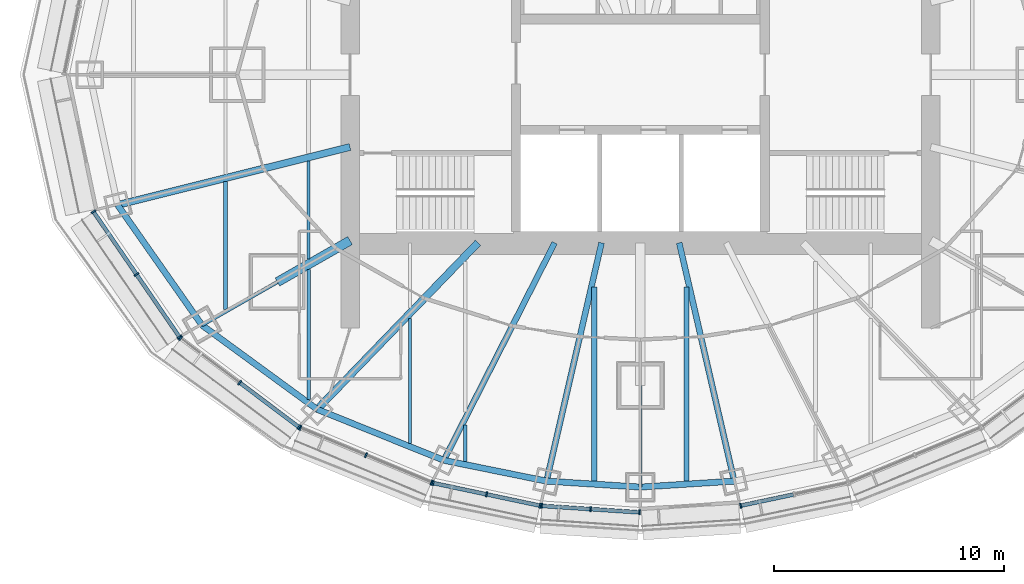
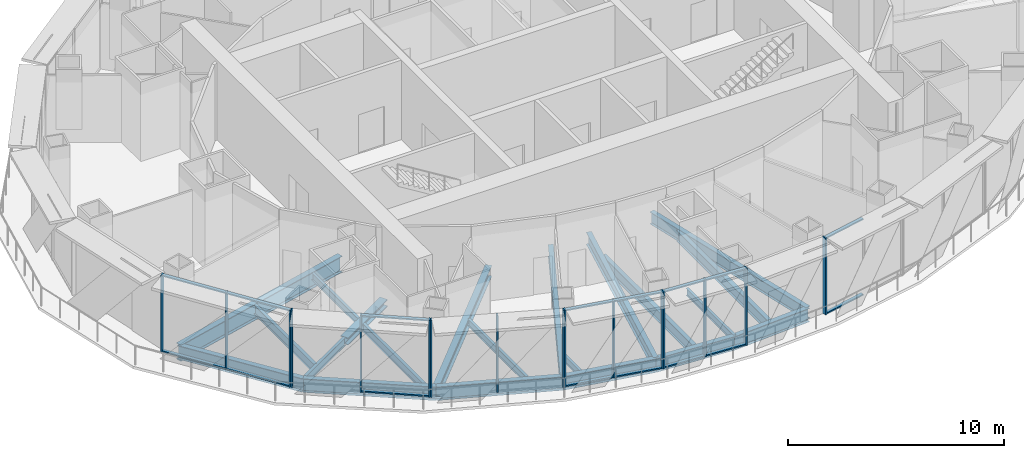
# One storey, part 2 of 17: 32 members, 21 beams, 6 elements without a shape of their own.
"""IFC4 building model written with IfcOpenShell, lengths in metres."""

from ifc_helpers import new_model, si_unit, direction, frame, origin, origin_2d, place, context, subcontext, project, spatial, rectangle, i_section, extrude, material, material_profile, profile_set, type_object, element, aggregate, save


model = new_model("IFC4")

# Units and contexts
model_context = context("Model", 3, precision=1e-05, world=origin(), true_north=direction((0.0, 1.0)))
body_context = subcontext(model_context, "Body", "Model", "MODEL_VIEW")
ifc_project = project(units=[si_unit("LENGTHUNIT", "METRE"), si_unit("AREAUNIT", "SQUARE_METRE"), si_unit("VOLUMEUNIT", "CUBIC_METRE"), si_unit("PLANEANGLEUNIT", "RADIAN"), si_unit("MASSUNIT", "GRAM", prefix="KILO")], contexts=[model_context])

# Site, building, storey
site_placement = place(None, origin())
site = spatial("IfcSite", under=ifc_project, at=site_placement, CompositionType="ELEMENT")
building_placement = place(site_placement, origin())
building = spatial("IfcBuilding", under=site, at=building_placement, Name="Lantaw Convention Tower", CompositionType="ELEMENT")
storey_placement = place(building_placement, frame((0.0, 0.0, 270.39990234375)))
storey = spatial("IfcBuildingStorey", under=building, at=storey_placement, Name="L63", CompositionType="ELEMENT", Elevation=270.39990234375)

# Beams
ifc_material_1 = material(Name="Steel ASTM A992", Category="steel")
ifc_material_profile_1 = material_profile(ifc_material_1, i_section(OverallWidth=0.2666015625, OverallDepth=0.76953125, WebThickness=0.015625, FlangeThickness=0.025390625, FilletRadius=0.0126953125, at=origin_2d()), Name="W30X132")
ifc_profile_set_1 = profile_set([ifc_material_profile_1], Name="Steel ASTM A992")
beam_type_1 = type_object("IfcBeamType", Name="Beam E W30X132", PredefinedType="SPANDREL", material=ifc_profile_set_1)
beam_1_placement = place(storey_placement, frame((-22.68701171875, -5.656494140625, -0.53466796875), z_axis=(0.574400527612, -0.81857439117, 0.0), x_axis=(0.81857439117, 0.574400527612, 0.0)))
element("IfcBeam", 1, at=beam_1_placement, inside=storey, type_object=beam_type_1, Name="Edge beam 14", PredefinedType="SPANDREL", context=body_context, shape_type="SweptSolid", body=[
    extrude(i_section(OverallWidth=0.2666015625, OverallDepth=0.76953125, WebThickness=0.015625, FlangeThickness=0.025390625, FilletRadius=0.0126953125, at=origin_2d()), origin(), (0.0, 0.0, 1.0), 6.3720703125),
])
beam_2_placement = place(storey_placement, frame((-19.02685546875, -10.87255859375, -0.53466796875), z_axis=(0.807371616826, -0.59004328006, 0.0), x_axis=(0.59004328006, 0.807371616826, 0.0)))
element("IfcBeam", 2, at=beam_2_placement, inside=storey, type_object=beam_type_1, Name="Edge beam 15", PredefinedType="SPANDREL", context=body_context, shape_type="SweptSolid", body=[
    extrude(i_section(OverallWidth=0.2666015625, OverallDepth=0.76953125, WebThickness=0.015625, FlangeThickness=0.025390625, FilletRadius=0.0126953125, at=origin_2d()), origin(), (0.0, 0.0, 1.0), 6.192138671875),
])
beam_3_placement = place(storey_placement, frame((-14.027587890625, -14.526123046875, -0.53466796875), z_axis=(0.927779110974, -0.373129898615, 0.0), x_axis=(0.373129898615, 0.927779110974, 0.0)))
element("IfcBeam", 3, at=beam_3_placement, inside=storey, type_object=beam_type_1, Name="Edge beam 16", PredefinedType="SPANDREL", context=body_context, shape_type="SweptSolid", body=[
    extrude(i_section(OverallWidth=0.2666015625, OverallDepth=0.76953125, WebThickness=0.015625, FlangeThickness=0.025390625, FilletRadius=0.0126953125, at=origin_2d()), origin(), (0.0, 0.0, 1.0), 5.92724609375),
])
beam_4_placement = place(storey_placement, frame((-8.5283203125, -16.73779296875, -0.53466796875), z_axis=(0.980006466425, -0.198965639657, 0.0), x_axis=(0.198965639657, 0.980006466425, 0.0)))
element("IfcBeam", 4, at=beam_4_placement, inside=storey, type_object=beam_type_1, Name="Edge beam 17", PredefinedType="SPANDREL", context=body_context, shape_type="SweptSolid", body=[
    extrude(i_section(OverallWidth=0.2666015625, OverallDepth=0.76953125, WebThickness=0.015625, FlangeThickness=0.025390625, FilletRadius=0.0126953125, at=origin_2d()), origin(), (0.0, 0.0, 1.0), 4.546142578125),
])
for number, where, z_axis, x_axis, name in (
    (5, (-4.072998046875, -17.642333984375, -0.53466796875), (0.998006453216, -0.063111958769, 0.0), (0.063111958769, 0.998006453216, 0.0), "Edge beam 18"),
    (6, (0.0, -17.89990234375, -0.53466796875), (0.998006453216, 0.063111958769, 0.0), (-0.063111958769, 0.998006453216, 0.0), "Edge beam 19"),
):
    element("IfcBeam", number, at=place(storey_placement, frame(where, z_axis=z_axis, x_axis=x_axis)), inside=storey, type_object=beam_type_1, Name=name, PredefinedType="SPANDREL", context=body_context, shape_type="SweptSolid", body=[
        extrude(i_section(OverallWidth=0.2666015625, OverallDepth=0.76953125, WebThickness=0.015625, FlangeThickness=0.025390625, FilletRadius=0.0126953125, at=origin_2d()), origin(), (0.0, 0.0, 1.0), 4.0810546875),
    ])
ifc_material_profile_2 = material_profile(ifc_material_1, i_section(OverallWidth=0.140380859375, OverallDepth=0.40380859375, WebThickness=0.007080078125, FlangeThickness=0.01123046875, FilletRadius=0.01025390625, at=origin_2d()), Name="W16X31")
ifc_profile_set_2 = profile_set([ifc_material_profile_2], Name="Steel ASTM A992")
beam_type_2 = type_object("IfcBeamType", Name="Beam G W16X31", PredefinedType="BEAM", material=ifc_profile_set_2)
beam_5_placement = place(storey_placement, frame((0.0, -13.5, -0.351806640625), z_axis=(0.0, -1.0, 0.0), x_axis=(1.0, 0.0, 0.0)))
element("IfcBeam", 7, at=beam_5_placement, inside=storey, type_object=beam_type_2, Name="Floor girder on ray 19", PredefinedType="BEAM", context=body_context, shape_type="SweptSolid", body=[
    extrude(i_section(OverallWidth=0.140380859375, OverallDepth=0.40380859375, WebThickness=0.007080078125, FlangeThickness=0.01123046875, FilletRadius=0.01025390625, at=origin_2d()), origin(), (0.0, 0.0, 1.0), 4.39990234375),
])
ifc_material_profile_3 = material_profile(ifc_material_1, i_section(OverallWidth=0.15234375, OverallDepth=0.449462890625, WebThickness=0.007568359375, FlangeThickness=0.0107421875, FilletRadius=0.01025390625, at=origin_2d()), Name="W18X35")
ifc_profile_set_3 = profile_set([ifc_material_profile_3], Name="Steel ASTM A992")
beam_type_3 = type_object("IfcBeamType", Name="Beam G W18X35", PredefinedType="BEAM", material=ifc_profile_set_3)
beam_6_placement = place(storey_placement, frame((-15.75, -9.0, -0.374755859375), z_axis=(-0.868235180478, -0.496152870978, 0.0), x_axis=(0.496152870978, -0.868235180478, 0.0)))
element("IfcBeam", 8, at=beam_6_placement, inside=storey, type_object=beam_type_3, Name="Floor girder on ray 15", PredefinedType="BEAM", context=body_context, shape_type="SweptSolid", body=[
    extrude(i_section(OverallWidth=0.15234375, OverallDepth=0.449462890625, WebThickness=0.007568359375, FlangeThickness=0.0107421875, FilletRadius=0.01025390625, at=origin_2d()), origin(), (0.0, 0.0, 1.0), 3.774169921875),
])
ifc_material_profile_4 = material_profile(ifc_material_1, i_section(OverallWidth=0.3251953125, OverallDepth=0.612060546875, WebThickness=0.0126953125, FlangeThickness=0.01904296875, FilletRadius=0.0126953125, at=origin_2d()), Name="W24X104")
ifc_profile_set_4 = profile_set([ifc_material_profile_4], Name="Steel ASTM A992")
beam_type_4 = type_object("IfcBeamType", Name="Beam G W24X104", PredefinedType="BEAM", material=ifc_profile_set_4)
beam_7_placement = place(storey_placement, frame((-7.049560546875, -7.300048828125, -0.4560546875), z_axis=(-0.694652631285, -0.71934534255, 0.0), x_axis=(0.71934534255, -0.694652631285, 0.0)))
element("IfcBeam", 9, at=beam_7_placement, inside=storey, type_object=beam_type_4, Name="Floor girder on ray 16", PredefinedType="BEAM", context=body_context, shape_type="SweptSolid", body=[
    extrude(i_section(OverallWidth=0.3251953125, OverallDepth=0.612060546875, WebThickness=0.0126953125, FlangeThickness=0.01904296875, FilletRadius=0.0126953125, at=origin_2d()), origin(), (0.0, 0.0, 1.0), 10.04541015625),
])
ifc_material_profile_5 = material_profile(ifc_material_1, i_section(OverallWidth=0.25390625, OverallDepth=0.683349609375, WebThickness=0.012451171875, FlangeThickness=0.01904296875, FilletRadius=0.01513671875, at=origin_2d()), Name="W27X94")
ifc_profile_set_5 = profile_set([ifc_material_profile_5], Name="Steel ASTM A992")
beam_type_5 = type_object("IfcBeamType", Name="Beam G W27X94", PredefinedType="BEAM", material=ifc_profile_set_5)
beam_8_placement = place(storey_placement, frame((-3.719482421875, -7.300048828125, -0.491455078125), z_axis=(-0.453995526284, -0.891003963018, 0.0), x_axis=(0.891003963018, -0.453995526284, 0.0)))
element("IfcBeam", 10, at=beam_8_placement, inside=storey, type_object=beam_type_5, Name="Floor girder on ray 17", PredefinedType="BEAM", context=body_context, shape_type="SweptSolid", body=[
    extrude(i_section(OverallWidth=0.25390625, OverallDepth=0.683349609375, WebThickness=0.012451171875, FlangeThickness=0.01904296875, FilletRadius=0.01513671875, at=origin_2d()), origin(), (0.0, 0.0, 1.0), 10.59228515625),
])
for number, where, z_axis, x_axis, name in (
    (11, (-1.685302734375, -7.300048828125, -0.491455078125), (-0.22495021771, -0.974370257937, 0.0), (0.974370257937, -0.22495021771, 0.0), "Floor girder on ray 18"),
    (12, (1.685302734375, -7.300048828125, -0.491455078125), (0.22495021771, -0.974370257937, 0.0), (0.974370257937, 0.22495021771, 0.0), "Floor girder on ray 20"),
):
    element("IfcBeam", number, at=place(storey_placement, frame(where, z_axis=z_axis, x_axis=x_axis)), inside=storey, type_object=beam_type_5, Name=name, PredefinedType="BEAM", context=body_context, shape_type="SweptSolid", body=[
        extrude(i_section(OverallWidth=0.25390625, OverallDepth=0.683349609375, WebThickness=0.012451171875, FlangeThickness=0.01904296875, FilletRadius=0.01513671875, at=origin_2d()), origin(), (0.0, 0.0, 1.0), 10.6142578125),
    ])
ifc_material_profile_6 = material_profile(ifc_material_1, i_section(OverallWidth=0.307373046875, OverallDepth=0.922119140625, WebThickness=0.018310546875, FlangeThickness=0.030029296875, FilletRadius=0.0126953125, at=origin_2d()), Name="W36X182")
ifc_profile_set_6 = profile_set([ifc_material_profile_6], Name="Steel ASTM A992")
beam_type_6 = type_object("IfcBeamType", Name="Beam G W36X182", PredefinedType="BEAM", material=ifc_profile_set_6)
beam_9_placement = place(storey_placement, frame((-12.60009765625, -3.1416015625, -0.61083984375), z_axis=(-0.97029702597, -0.241916682751, 0.0), x_axis=(0.241916682751, -0.97029702597, 0.0)))
element("IfcBeam", 13, at=beam_9_placement, inside=storey, type_object=beam_type_6, Name="Floor girder on ray 14", PredefinedType="BEAM", context=body_context, shape_type="SweptSolid", body=[
    extrude(i_section(OverallWidth=0.307373046875, OverallDepth=0.922119140625, WebThickness=0.018310546875, FlangeThickness=0.030029296875, FilletRadius=0.0126953125, at=origin_2d()), origin(), (0.0, 0.0, 1.0), 10.395751953125),
])
ifc_material_profile_7 = material_profile(ifc_material_1, i_section(OverallWidth=0.40380859375, OverallDepth=0.406494140625, WebThickness=0.027099609375, FlangeThickness=0.043701171875, FilletRadius=0.01513671875, at=origin_2d()), Name="W14X233")
ifc_profile_set_7 = profile_set([ifc_material_profile_7], Name="Steel ASTM A992")
beam_type_7 = type_object("IfcBeamType", Name="Beam GM W14X233", PredefinedType="BEAM", material=ifc_profile_set_7)
beam_10_placement = place(storey_placement, frame((-12.60009765625, -7.199951171875, -0.35302734375), z_axis=(-0.868230718294, -0.496160679428, 0.0), x_axis=(0.496160679428, -0.868230718294, 0.0)))
element("IfcBeam", 14, at=beam_10_placement, inside=storey, type_object=beam_type_7, Name="Core link beam on ray 15", PredefinedType="BEAM", context=body_context, shape_type="SweptSolid", body=[
    extrude(i_section(OverallWidth=0.40380859375, OverallDepth=0.406494140625, WebThickness=0.027099609375, FlangeThickness=0.043701171875, FilletRadius=0.01513671875, at=origin_2d()), origin(), (0.0, 0.0, 1.0), 3.6279296875),
])
ifc_material_profile_8 = material_profile(ifc_material_1, i_section(OverallWidth=0.140380859375, OverallDepth=0.40380859375, WebThickness=0.007080078125, FlangeThickness=0.01123046875, FilletRadius=0.01025390625, at=origin_2d()), Name="W16X31")
ifc_profile_set_8 = profile_set([ifc_material_profile_8], Name="Steel ASTM A992")
beam_type_8 = type_object("IfcBeamType", Name="Beam J W16X31", PredefinedType="JOIST", material=ifc_profile_set_8)
beam_11_placement = place(storey_placement, frame((-14.39990234375, -7.99609375, -0.351806640625), z_axis=(0.0, 1.0, 0.0), x_axis=(-1.0, 0.0, 0.0)))
element("IfcBeam", 15, at=beam_11_placement, inside=storey, type_object=beam_type_8, Name="Floor joist", PredefinedType="JOIST", context=body_context, shape_type="SweptSolid", body=[
    extrude(i_section(OverallWidth=0.140380859375, OverallDepth=0.40380859375, WebThickness=0.007080078125, FlangeThickness=0.01123046875, FilletRadius=0.01025390625, at=origin_2d()), origin(), (0.0, 0.0, 1.0), 4.247314453125),
])
beam_12_placement = place(storey_placement, frame((-10.0, -16.002197265625, -0.351806640625), z_axis=(0.0, 1.0, 0.0), x_axis=(-1.0, 0.0, 0.0)))
element("IfcBeam", 16, at=beam_12_placement, inside=storey, type_object=beam_type_8, Name="Floor joist", PredefinedType="JOIST", context=body_context, shape_type="SweptSolid", body=[
    extrude(i_section(OverallWidth=0.140380859375, OverallDepth=0.40380859375, WebThickness=0.007080078125, FlangeThickness=0.01123046875, FilletRadius=0.01025390625, at=origin_2d()), origin(), (0.0, 0.0, 1.0), 5.412841796875),
])
beam_13_placement = place(storey_placement, frame((-7.60009765625, -16.790283203125, -0.351806640625), z_axis=(0.0, 1.0, 0.0), x_axis=(-1.0, 0.0, 0.0)))
element("IfcBeam", 17, at=beam_13_placement, inside=storey, type_object=beam_type_8, Name="Floor joist", PredefinedType="JOIST", context=body_context, shape_type="SweptSolid", body=[
    extrude(i_section(OverallWidth=0.140380859375, OverallDepth=0.40380859375, WebThickness=0.007080078125, FlangeThickness=0.01123046875, FilletRadius=0.01025390625, at=origin_2d()), origin(), (0.0, 0.0, 1.0), 1.5947265625),
])
ifc_material_profile_9 = material_profile(ifc_material_1, i_section(OverallWidth=0.15234375, OverallDepth=0.449462890625, WebThickness=0.007568359375, FlangeThickness=0.0107421875, FilletRadius=0.01025390625, at=origin_2d()), Name="W18X35")
ifc_profile_set_9 = profile_set([ifc_material_profile_9], Name="Steel ASTM A992")
beam_type_9 = type_object("IfcBeamType", Name="Beam J W18X35", PredefinedType="JOIST", material=ifc_profile_set_9)
beam_14_placement = place(storey_placement, frame((-14.39990234375, -14.0888671875, -0.374755859375), z_axis=(0.0, 1.0, 0.0), x_axis=(-1.0, 0.0, 0.0)))
element("IfcBeam", 18, at=beam_14_placement, inside=storey, type_object=beam_type_9, Name="Floor joist", PredefinedType="JOIST", context=body_context, shape_type="SweptSolid", body=[
    extrude(i_section(OverallWidth=0.15234375, OverallDepth=0.449462890625, WebThickness=0.007568359375, FlangeThickness=0.0107421875, FilletRadius=0.01025390625, at=origin_2d()), origin(), (0.0, 0.0, 1.0), 5.627685546875),
])
ifc_material_profile_10 = material_profile(ifc_material_1, i_section(OverallWidth=0.165771484375, OverallDepth=0.5283203125, WebThickness=0.009765625, FlangeThickness=0.013671875, FilletRadius=0.012939453125, at=origin_2d()), Name="W21X50")
ifc_profile_set_10 = profile_set([ifc_material_profile_10], Name="Steel ASTM A992")
beam_type_10 = type_object("IfcBeamType", Name="Beam J W21X50", PredefinedType="JOIST", material=ifc_profile_set_10)
beam_15_placement = place(storey_placement, frame((-18.0, -10.197998046875, -0.4140625), z_axis=(0.0, 1.0, 0.0), x_axis=(-1.0, 0.0, 0.0)))
element("IfcBeam", 19, at=beam_15_placement, inside=storey, type_object=beam_type_10, Name="Floor joist", PredefinedType="JOIST", context=body_context, shape_type="SweptSolid", body=[
    extrude(i_section(OverallWidth=0.165771484375, OverallDepth=0.5283203125, WebThickness=0.009765625, FlangeThickness=0.013671875, FilletRadius=0.012939453125, at=origin_2d()), origin(), (0.0, 0.0, 1.0), 5.5517578125),
])
ifc_material_profile_11 = material_profile(ifc_material_1, i_section(OverallWidth=0.22900390625, OverallDepth=0.612060546875, WebThickness=0.011962890625, FlangeThickness=0.01953125, FilletRadius=0.0126953125, at=origin_2d()), Name="W24X84")
ifc_profile_set_11 = profile_set([ifc_material_profile_11], Name="Steel ASTM A992")
beam_type_11 = type_object("IfcBeamType", Name="Beam J W24X84", PredefinedType="JOIST", material=ifc_profile_set_11)
for number, where, z_axis, x_axis, name in (
    (20, (-2.0, -17.639892578125, -0.4560546875), (0.0, 1.0, 0.0), (-1.0, 0.0, 0.0), "Floor joist"),
    (21, (2.0, -17.639892578125, -0.4560546875), (0.0, 1.0, 0.0), (-1.0, 0.0, 0.0), "Floor joist"),
):
    element("IfcBeam", number, at=place(storey_placement, frame(where, z_axis=z_axis, x_axis=x_axis)), inside=storey, type_object=beam_type_11, Name=name, PredefinedType="JOIST", context=body_context, shape_type="SweptSolid", body=[
        extrude(i_section(OverallWidth=0.22900390625, OverallDepth=0.612060546875, WebThickness=0.011962890625, FlangeThickness=0.01953125, FilletRadius=0.0126953125, at=origin_2d()), origin(), (0.0, 0.0, 1.0), 8.412353515625),
    ])

# Curtain wall, members
ifc_material_2 = material(Name="Aluminium framed curtain wall", Category="aluminium")
curtain_wall_type = type_object("IfcCurtainWallType", Name="Executive floors curtain wall, pale aluminium", PredefinedType="USERDEFINED", material=ifc_material_2)
curtain_wall_1_placement = place(storey_placement, origin())
curtain_wall_1 = element("IfcCurtainWall", 22, at=curtain_wall_1_placement, inside=storey, type_object=curtain_wall_type, Name="Executive floors curtain wall, pale aluminium L63", ObjectType="UNITISED CURTAIN WALL", PredefinedType="USERDEFINED")
ifc_material_3 = material(Name="Aluminium 6063-T6", Category="aluminium")
ifc_material_profile_12 = material_profile(ifc_material_3, rectangle(XDim=0.219970703125, YDim=0.070068359375, at=origin_2d()), Name="CW-T mullion 70x220")
ifc_profile_set_12 = profile_set([ifc_material_profile_12], Name="Aluminium 6063-T6")
member_type_1 = type_object("IfcMemberType", Name="CW-T mullion 70x220", PredefinedType="MULLION", material=ifc_profile_set_12)
member_1_placement = place(storey_placement, frame((-23.734619140625, -5.951416015625, 0.0), z_axis=(0.0, 0.0, 1.0), x_axis=(0.824449977189, 0.565934832921, 0.0)))
member_1 = element("IfcMember", 23, at=member_1_placement, type_object=member_type_1, Name="CW-T mullion 1", PredefinedType="MULLION", context=body_context, shape_type="SweptSolid", body=[
    extrude(rectangle(XDim=0.219970703125, YDim=0.070068359375, at=origin_2d()), origin(), (0.0, 0.0, 1.0), 4.35009765625),
])
member_2_placement = place(storey_placement, frame((-21.8681640625, -8.67041015625, 0.0), z_axis=(0.0, 0.0, 1.0), x_axis=(0.824449977189, 0.565934832921, 0.0)))
member_2 = element("IfcMember", 24, at=member_2_placement, type_object=member_type_1, Name="CW-T mullion 2", PredefinedType="MULLION", context=body_context, shape_type="SweptSolid", body=[
    extrude(rectangle(XDim=0.219970703125, YDim=0.070068359375, at=origin_2d()), origin(), (0.0, 0.0, 1.0), 4.35009765625),
])
member_3_placement = place(storey_placement, frame((-20.001708984375, -11.389404296875, 0.0), z_axis=(0.0, 0.0, 1.0), x_axis=(0.824449977189, 0.565934832921, 0.0)))
member_3 = element("IfcMember", 25, at=member_3_placement, type_object=member_type_1, Name="CW-T mullion 3", PredefinedType="MULLION", context=body_context, shape_type="SweptSolid", body=[
    extrude(rectangle(XDim=0.219970703125, YDim=0.070068359375, at=origin_2d()), origin(), (0.0, 0.0, 1.0), 4.35009765625),
])

curtain_wall_2_placement = place(storey_placement, origin())
curtain_wall_2 = element("IfcCurtainWall", 26, at=curtain_wall_2_placement, inside=storey, type_object=curtain_wall_type, Name="Executive floors curtain wall, pale aluminium L63", ObjectType="UNITISED CURTAIN WALL", PredefinedType="USERDEFINED")
member_4_placement = place(storey_placement, frame((-19.953857421875, -11.439208984375, 0.0), z_axis=(0.0, 0.0, 1.0), x_axis=(0.600642756762, 0.799517528732, 0.0)))
member_4 = element("IfcMember", 27, at=member_4_placement, type_object=member_type_1, Name="CW-T mullion 1", PredefinedType="MULLION", context=body_context, shape_type="SweptSolid", body=[
    extrude(rectangle(XDim=0.219970703125, YDim=0.070068359375, at=origin_2d()), origin(), (0.0, 0.0, 1.0), 4.35009765625),
])
member_5_placement = place(storey_placement, frame((-17.386962890625, -13.367919921875, 0.0), z_axis=(0.0, 0.0, 1.0), x_axis=(0.600642756762, 0.799517528732, 0.0)))
member_5 = element("IfcMember", 28, at=member_5_placement, type_object=member_type_1, Name="CW-T mullion 2", PredefinedType="MULLION", context=body_context, shape_type="SweptSolid", body=[
    extrude(rectangle(XDim=0.219970703125, YDim=0.070068359375, at=origin_2d()), origin(), (0.0, 0.0, 1.0), 4.35009765625),
])
member_6_placement = place(storey_placement, frame((-14.81982421875, -15.29638671875, 0.0), z_axis=(0.0, 0.0, 1.0), x_axis=(0.600642756762, 0.799517528732, 0.0)))
member_6 = element("IfcMember", 29, at=member_6_placement, type_object=member_type_1, Name="CW-T mullion 3", PredefinedType="MULLION", context=body_context, shape_type="SweptSolid", body=[
    extrude(rectangle(XDim=0.219970703125, YDim=0.070068359375, at=origin_2d()), origin(), (0.0, 0.0, 1.0), 4.35009765625),
])

curtain_wall_3_placement = place(storey_placement, origin())
curtain_wall_3 = element("IfcCurtainWall", 30, at=curtain_wall_3_placement, inside=storey, type_object=curtain_wall_type, Name="Executive floors curtain wall, pale aluminium L63", ObjectType="UNITISED CURTAIN WALL", PredefinedType="USERDEFINED")
member_7_placement = place(storey_placement, frame((-14.759521484375, -15.330810546875, 0.0), z_axis=(0.0, 0.0, 1.0), x_axis=(0.384459697924, 0.923141777124, 0.0)))
member_7 = element("IfcMember", 31, at=member_7_placement, type_object=member_type_1, Name="CW-T mullion 1", PredefinedType="MULLION", context=body_context, shape_type="SweptSolid", body=[
    extrude(rectangle(XDim=0.219970703125, YDim=0.070068359375, at=origin_2d()), origin(), (0.0, 0.0, 1.0), 4.35009765625),
])
member_8_placement = place(storey_placement, frame((-11.90966796875, -16.517578125, 0.0), z_axis=(0.0, 0.0, 1.0), x_axis=(0.384459697924, 0.923141777124, 0.0)))
member_8 = element("IfcMember", 32, at=member_8_placement, type_object=member_type_1, Name="CW-T mullion 2", PredefinedType="MULLION", context=body_context, shape_type="SweptSolid", body=[
    extrude(rectangle(XDim=0.219970703125, YDim=0.070068359375, at=origin_2d()), origin(), (0.0, 0.0, 1.0), 4.35009765625),
])
member_9_placement = place(storey_placement, frame((-9.06005859375, -17.70458984375, 0.0), z_axis=(0.0, 0.0, 1.0), x_axis=(0.384459697924, 0.923141777124, 0.0)))
member_9 = element("IfcMember", 33, at=member_9_placement, type_object=member_type_1, Name="CW-T mullion 3", PredefinedType="MULLION", context=body_context, shape_type="SweptSolid", body=[
    extrude(rectangle(XDim=0.219970703125, YDim=0.070068359375, at=origin_2d()), origin(), (0.0, 0.0, 1.0), 4.35009765625),
])
aggregate(curtain_wall_3, [member_7, member_8, member_9])

curtain_wall_4_placement = place(storey_placement, origin())
curtain_wall_4 = element("IfcCurtainWall", 34, at=curtain_wall_4_placement, inside=storey, type_object=curtain_wall_type, Name="Executive floors curtain wall, pale aluminium L63", ObjectType="UNITISED CURTAIN WALL", PredefinedType="USERDEFINED")
member_10_placement = place(storey_placement, frame((-8.993408203125, -17.72509765625, 0.0), z_axis=(0.0, 0.0, 1.0), x_axis=(0.207039911975, 0.978332497083, 0.0)))
member_10 = element("IfcMember", 35, at=member_10_placement, type_object=member_type_1, Name="CW-T mullion 1", PredefinedType="MULLION", context=body_context, shape_type="SweptSolid", body=[
    extrude(rectangle(XDim=0.219970703125, YDim=0.070068359375, at=origin_2d()), origin(), (0.0, 0.0, 1.0), 4.35009765625),
])
member_11_placement = place(storey_placement, frame((-6.674072265625, -18.216064453125, 0.0), z_axis=(0.0, 0.0, 1.0), x_axis=(0.207039911975, 0.978332497083, 0.0)))
member_11 = element("IfcMember", 36, at=member_11_placement, type_object=member_type_1, Name="CW-T mullion 2", PredefinedType="MULLION", context=body_context, shape_type="SweptSolid", body=[
    extrude(rectangle(XDim=0.219970703125, YDim=0.070068359375, at=origin_2d()), origin(), (0.0, 0.0, 1.0), 4.35009765625),
])
member_12_placement = place(storey_placement, frame((-4.354736328125, -18.706787109375, 0.0), z_axis=(0.0, 0.0, 1.0), x_axis=(0.207039911975, 0.978332497083, 0.0)))
member_12 = element("IfcMember", 37, at=member_12_placement, type_object=member_type_1, Name="CW-T mullion 3", PredefinedType="MULLION", context=body_context, shape_type="SweptSolid", body=[
    extrude(rectangle(XDim=0.219970703125, YDim=0.070068359375, at=origin_2d()), origin(), (0.0, 0.0, 1.0), 4.35009765625),
])

curtain_wall_5_placement = place(storey_placement, origin())
curtain_wall_5 = element("IfcCurtainWall", 38, at=curtain_wall_5_placement, inside=storey, type_object=curtain_wall_type, Name="Executive floors curtain wall, pale aluminium L63", ObjectType="UNITISED CURTAIN WALL", PredefinedType="USERDEFINED")
member_13_placement = place(storey_placement, frame((-4.28564453125, -18.71630859375, 0.0), z_axis=(0.0, 0.0, 1.0), x_axis=(0.066024902273, 0.997817975525, 0.0)))
member_13 = element("IfcMember", 39, at=member_13_placement, type_object=member_type_1, Name="CW-T mullion 1", PredefinedType="MULLION", context=body_context, shape_type="SweptSolid", body=[
    extrude(rectangle(XDim=0.219970703125, YDim=0.070068359375, at=origin_2d()), origin(), (0.0, 0.0, 1.0), 4.35009765625),
])
member_14_placement = place(storey_placement, frame((-2.16015625, -18.857177734375, 0.0), z_axis=(0.0, 0.0, 1.0), x_axis=(0.066024902273, 0.997817975525, 0.0)))
member_14 = element("IfcMember", 40, at=member_14_placement, type_object=member_type_1, Name="CW-T mullion 2", PredefinedType="MULLION", context=body_context, shape_type="SweptSolid", body=[
    extrude(rectangle(XDim=0.219970703125, YDim=0.070068359375, at=origin_2d()), origin(), (0.0, 0.0, 1.0), 4.35009765625),
])
member_15_placement = place(storey_placement, frame((-0.034912109375, -18.997802734375, 0.0), z_axis=(0.0, 0.0, 1.0), x_axis=(0.066024902273, 0.997817975525, 0.0)))
member_15 = element("IfcMember", 41, at=member_15_placement, type_object=member_type_1, Name="CW-T mullion 3", PredefinedType="MULLION", context=body_context, shape_type="SweptSolid", body=[
    extrude(rectangle(XDim=0.219970703125, YDim=0.070068359375, at=origin_2d()), origin(), (0.0, 0.0, 1.0), 4.35009765625),
])

# Curtain wall, member
curtain_wall_6_placement = place(storey_placement, origin())
curtain_wall_6 = element("IfcCurtainWall", 42, at=curtain_wall_6_placement, inside=storey, type_object=curtain_wall_type, Name="Executive floors curtain wall, pale aluminium L63", ObjectType="UNITISED CURTAIN WALL", PredefinedType="USERDEFINED")
member_16_placement = place(storey_placement, frame((4.354736328125, -18.706787109375, 0.0), z_axis=(0.0, 0.0, 1.0), x_axis=(-0.207039911975, 0.978332497083, 0.0)))
member_16 = element("IfcMember", 43, at=member_16_placement, type_object=member_type_1, Name="CW-T mullion 1", PredefinedType="MULLION", context=body_context, shape_type="SweptSolid", body=[
    extrude(rectangle(XDim=0.219970703125, YDim=0.070068359375, at=origin_2d()), origin(), (0.0, 0.0, 1.0), 4.35009765625),
])

# Member
ifc_material_profile_13 = material_profile(ifc_material_3, rectangle(XDim=0.169921875, YDim=0.070068359375, at=origin_2d()), Name="CW-T transom 70x170")
ifc_profile_set_13 = profile_set([ifc_material_profile_13], Name="Aluminium 6063-T6")
member_type_2 = type_object("IfcMemberType", Name="CW-T transom 70x170", PredefinedType="USERDEFINED", material=ifc_profile_set_13)
member_17_placement = place(storey_placement, frame((-23.71484375, -5.980224609375, 0.03515625), z_axis=(0.56594129057, -0.824445544368, 0.0), x_axis=(0.824445544368, 0.56594129057, 0.0)))
member_17 = element("IfcMember", 44, at=member_17_placement, type_object=member_type_2, Name="CW-T transom 1.1", ObjectType="TRANSOM", PredefinedType="USERDEFINED", context=body_context, shape_type="SweptSolid", body=[
    extrude(rectangle(XDim=0.169921875, YDim=0.070068359375, at=origin_2d()), origin(), (0.0, 0.0, 1.0), 3.22802734375),
])

member_18_placement = place(storey_placement, frame((-23.71484375, -5.980224609375, 4.315185546875), z_axis=(0.56594129057, -0.824445544368, 0.0), x_axis=(0.824445544368, 0.56594129057, 0.0)))
member_18 = element("IfcMember", 45, at=member_18_placement, type_object=member_type_2, Name="CW-T transom 1.2", ObjectType="TRANSOM", PredefinedType="USERDEFINED", context=body_context, shape_type="SweptSolid", body=[
    extrude(rectangle(XDim=0.169921875, YDim=0.070068359375, at=origin_2d()), origin(), (0.0, 0.0, 1.0), 3.22802734375),
])

member_19_placement = place(storey_placement, frame((-21.848388671875, -8.69921875, 0.03515625), z_axis=(0.56594129057, -0.824445544368, 0.0), x_axis=(0.824445544368, 0.56594129057, 0.0)))
member_19 = element("IfcMember", 46, at=member_19_placement, type_object=member_type_2, Name="CW-T transom 2.1", ObjectType="TRANSOM", PredefinedType="USERDEFINED", context=body_context, shape_type="SweptSolid", body=[
    extrude(rectangle(XDim=0.169921875, YDim=0.070068359375, at=origin_2d()), origin(), (0.0, 0.0, 1.0), 3.22802734375),
])

member_20_placement = place(storey_placement, frame((-21.848388671875, -8.69921875, 4.315185546875), z_axis=(0.56594129057, -0.824445544368, 0.0), x_axis=(0.824445544368, 0.56594129057, 0.0)))
member_20 = element("IfcMember", 47, at=member_20_placement, type_object=member_type_2, Name="CW-T transom 2.2", ObjectType="TRANSOM", PredefinedType="USERDEFINED", context=body_context, shape_type="SweptSolid", body=[
    extrude(rectangle(XDim=0.169921875, YDim=0.070068359375, at=origin_2d()), origin(), (0.0, 0.0, 1.0), 3.22802734375),
])

aggregate(curtain_wall_1, [member_1, member_2, member_3, member_17, member_18, member_19, member_20])

member_21_placement = place(storey_placement, frame((-17.35888671875, -13.388916015625, 0.03515625), z_axis=(0.799505333284, -0.600658989819, 0.0), x_axis=(0.600658989819, 0.799505333284, 0.0)))
member_21 = element("IfcMember", 48, at=member_21_placement, type_object=member_type_2, Name="CW-T transom 2.1", ObjectType="TRANSOM", PredefinedType="USERDEFINED", context=body_context, shape_type="SweptSolid", body=[
    extrude(rectangle(XDim=0.169921875, YDim=0.070068359375, at=origin_2d()), origin(), (0.0, 0.0, 1.0), 3.140625),
])

member_22_placement = place(storey_placement, frame((-17.35888671875, -13.388916015625, 4.315185546875), z_axis=(0.799505333284, -0.600658989819, 0.0), x_axis=(0.600658989819, 0.799505333284, 0.0)))
member_22 = element("IfcMember", 49, at=member_22_placement, type_object=member_type_2, Name="CW-T transom 2.2", ObjectType="TRANSOM", PredefinedType="USERDEFINED", context=body_context, shape_type="SweptSolid", body=[
    extrude(rectangle(XDim=0.169921875, YDim=0.070068359375, at=origin_2d()), origin(), (0.0, 0.0, 1.0), 3.140625),
])

aggregate(curtain_wall_2, [member_4, member_5, member_6, member_21, member_22])

member_23_placement = place(storey_placement, frame((-8.959228515625, -17.732421875, 0.03515625), z_axis=(0.978336479598, -0.207021092375, 0.0), x_axis=(0.207021092375, 0.978336479598, 0.0)))
member_23 = element("IfcMember", 50, at=member_23_placement, type_object=member_type_2, Name="CW-T transom 1.1", ObjectType="TRANSOM", PredefinedType="USERDEFINED", context=body_context, shape_type="SweptSolid", body=[
    extrude(rectangle(XDim=0.169921875, YDim=0.070068359375, at=origin_2d()), origin(), (0.0, 0.0, 1.0), 2.30078125),
])

member_24_placement = place(storey_placement, frame((-8.959228515625, -17.732421875, 4.315185546875), z_axis=(0.978336479598, -0.207021092375, 0.0), x_axis=(0.207021092375, 0.978336479598, 0.0)))
member_24 = element("IfcMember", 51, at=member_24_placement, type_object=member_type_2, Name="CW-T transom 1.2", ObjectType="TRANSOM", PredefinedType="USERDEFINED", context=body_context, shape_type="SweptSolid", body=[
    extrude(rectangle(XDim=0.169921875, YDim=0.070068359375, at=origin_2d()), origin(), (0.0, 0.0, 1.0), 2.30078125),
])

member_25_placement = place(storey_placement, frame((-6.639892578125, -18.223388671875, 0.03515625), z_axis=(0.978336479598, -0.207021092375, 0.0), x_axis=(0.207021092375, 0.978336479598, 0.0)))
member_25 = element("IfcMember", 52, at=member_25_placement, type_object=member_type_2, Name="CW-T transom 2.1", ObjectType="TRANSOM", PredefinedType="USERDEFINED", context=body_context, shape_type="SweptSolid", body=[
    extrude(rectangle(XDim=0.169921875, YDim=0.070068359375, at=origin_2d()), origin(), (0.0, 0.0, 1.0), 2.30078125),
])

member_26_placement = place(storey_placement, frame((-6.639892578125, -18.223388671875, 4.315185546875), z_axis=(0.978336479598, -0.207021092375, 0.0), x_axis=(0.207021092375, 0.978336479598, 0.0)))
member_26 = element("IfcMember", 53, at=member_26_placement, type_object=member_type_2, Name="CW-T transom 2.2", ObjectType="TRANSOM", PredefinedType="USERDEFINED", context=body_context, shape_type="SweptSolid", body=[
    extrude(rectangle(XDim=0.169921875, YDim=0.070068359375, at=origin_2d()), origin(), (0.0, 0.0, 1.0), 2.30078125),
])

aggregate(curtain_wall_4, [member_10, member_11, member_12, member_23, member_24, member_25, member_26])

member_27_placement = place(storey_placement, frame((-4.250732421875, -18.71875, 0.03515625), z_axis=(0.997819110413, -0.066007748753, 0.0), x_axis=(0.066007748753, 0.997819110413, 0.0)))
member_27 = element("IfcMember", 54, at=member_27_placement, type_object=member_type_2, Name="CW-T transom 1.1", ObjectType="TRANSOM", PredefinedType="USERDEFINED", context=body_context, shape_type="SweptSolid", body=[
    extrude(rectangle(XDim=0.169921875, YDim=0.070068359375, at=origin_2d()), origin(), (0.0, 0.0, 1.0), 2.06005859375),
])

member_28_placement = place(storey_placement, frame((-4.250732421875, -18.71875, 4.315185546875), z_axis=(0.997819110413, -0.066007748753, 0.0), x_axis=(0.066007748753, 0.997819110413, 0.0)))
member_28 = element("IfcMember", 55, at=member_28_placement, type_object=member_type_2, Name="CW-T transom 1.2", ObjectType="TRANSOM", PredefinedType="USERDEFINED", context=body_context, shape_type="SweptSolid", body=[
    extrude(rectangle(XDim=0.169921875, YDim=0.070068359375, at=origin_2d()), origin(), (0.0, 0.0, 1.0), 2.06005859375),
])

member_29_placement = place(storey_placement, frame((-2.125244140625, -18.859375, 0.03515625), z_axis=(0.997818593988, -0.066015554918, 0.0), x_axis=(0.066015554918, 0.997818593988, 0.0)))
member_29 = element("IfcMember", 56, at=member_29_placement, type_object=member_type_2, Name="CW-T transom 2.1", ObjectType="TRANSOM", PredefinedType="USERDEFINED", context=body_context, shape_type="SweptSolid", body=[
    extrude(rectangle(XDim=0.169921875, YDim=0.070068359375, at=origin_2d()), origin(), (0.0, 0.0, 1.0), 2.059814453125),
])

member_30_placement = place(storey_placement, frame((-2.125244140625, -18.859375, 4.315185546875), z_axis=(0.997818593988, -0.066015554918, 0.0), x_axis=(0.066015554918, 0.997818593988, 0.0)))
member_30 = element("IfcMember", 57, at=member_30_placement, type_object=member_type_2, Name="CW-T transom 2.2", ObjectType="TRANSOM", PredefinedType="USERDEFINED", context=body_context, shape_type="SweptSolid", body=[
    extrude(rectangle(XDim=0.169921875, YDim=0.070068359375, at=origin_2d()), origin(), (0.0, 0.0, 1.0), 2.059814453125),
])

aggregate(curtain_wall_5, [member_13, member_14, member_15, member_27, member_28, member_29, member_30])

member_31_placement = place(storey_placement, frame((4.388916015625, -18.69970703125, 0.03515625), z_axis=(0.978336479598, 0.207021092375, 0.0), x_axis=(-0.207021092375, 0.978336479598, 0.0)))
member_31 = element("IfcMember", 58, at=member_31_placement, type_object=member_type_2, Name="CW-T transom 1.1", ObjectType="TRANSOM", PredefinedType="USERDEFINED", context=body_context, shape_type="SweptSolid", body=[
    extrude(rectangle(XDim=0.169921875, YDim=0.070068359375, at=origin_2d()), origin(), (0.0, 0.0, 1.0), 2.30078125),
])

member_32_placement = place(storey_placement, frame((4.388916015625, -18.69970703125, 4.315185546875), z_axis=(0.978336479598, 0.207021092375, 0.0), x_axis=(-0.207021092375, 0.978336479598, 0.0)))
member_32 = element("IfcMember", 59, at=member_32_placement, type_object=member_type_2, Name="CW-T transom 1.2", ObjectType="TRANSOM", PredefinedType="USERDEFINED", context=body_context, shape_type="SweptSolid", body=[
    extrude(rectangle(XDim=0.169921875, YDim=0.070068359375, at=origin_2d()), origin(), (0.0, 0.0, 1.0), 2.30078125),
])

aggregate(curtain_wall_6, [member_16, member_31, member_32])

save(model, "model.ifc")
